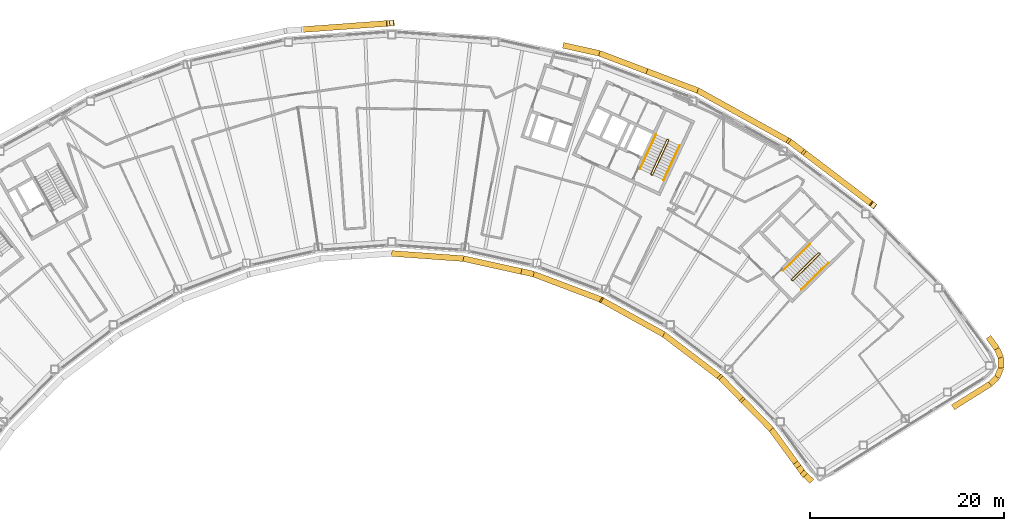
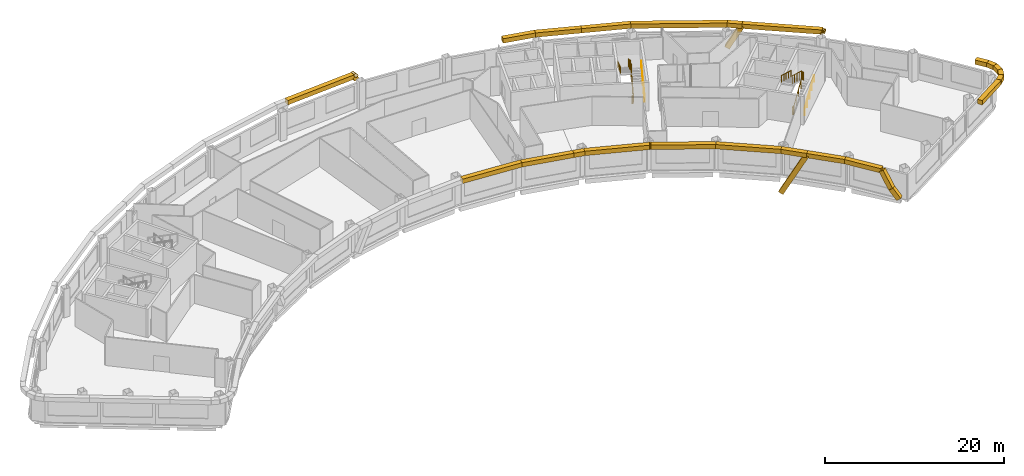
# One storey, part 13 of 13: 31 coverings, 6 railings.
"""IFC4 building model written with IfcOpenShell, lengths in metres."""

from ifc_helpers import new_model, si_unit, direction, frame, origin, origin_2d, place, context, subcontext, project, spatial, rectangle, circle, extrude, material, material_profile, profile_set, type_object, element, save


model = new_model("IFC4")

# Units and contexts
model_context = context("Model", 3, precision=1e-05, world=origin(), true_north=direction((0.0, 1.0)))
body_context = subcontext(model_context, "Body", "Model", "MODEL_VIEW")
ifc_project = project(units=[si_unit("LENGTHUNIT", "METRE"), si_unit("AREAUNIT", "SQUARE_METRE"), si_unit("VOLUMEUNIT", "CUBIC_METRE"), si_unit("PLANEANGLEUNIT", "RADIAN"), si_unit("MASSUNIT", "GRAM", prefix="KILO")], contexts=[model_context])

# Site, building, storey
site_placement = place(None, origin())
site = spatial("IfcSite", under=ifc_project, at=site_placement, CompositionType="ELEMENT")
building_placement = place(site_placement, origin())
building = spatial("IfcBuilding", under=site, at=building_placement, Name="Tuul Gate Civic Tower", CompositionType="ELEMENT")
storey_placement = place(building_placement, frame((0.0, 0.0, 306.800048828125)))
storey = spatial("IfcBuildingStorey", under=building, at=storey_placement, Name="Level 69", CompositionType="ELEMENT", Elevation=306.800048828125)

# Railings
ifc_material_1 = material(Name="Painted steel", Category="steel")
railing_type_1 = type_object("IfcRailingType", Name="Stair guard", PredefinedType="GUARDRAIL", material=ifc_material_1)
railing_1_placement = place(storey_placement, frame((48.10546875, -16.134765625, 0.0)))
element("IfcRailing", 1, at=railing_1_placement, inside=storey, type_object=railing_type_1, Name="Level 69 ST-3 stair guard 1", PredefinedType="GUARDRAIL", context=body_context, shape_type="SweptSolid", body=[
    extrude(circle(Radius=0.02392578125, at=origin_2d()), frame((0.0, 0.0, 1.076171875), z_axis=(-0.698506948293, 0.715603272202, 0.0), x_axis=(-0.715603272202, -0.698506948293, 0.0)), (0.0, 0.0, 1.0), 0.099853515625),
    extrude(circle(Radius=0.02392578125, at=origin_2d()), frame((-0.06982421875, 0.071533203125, 1.076171875), z_axis=(0.645446321009, -0.331687692741, 0.688027849131), x_axis=(0.457068866502, 0.889431307788, 0.0)), (0.0, 0.0, 1.0), 0.2177734375),
    extrude(circle(Radius=0.02392578125, at=origin_2d()), frame((0.07080078125, -0.000732421875, 1.22607421875), z_axis=(0.638731261263, 0.626133563701, 0.447190268558), x_axis=(-0.700029477518, 0.714113947914, 0.0)), (0.0, 0.0, 1.0), 4.3603515625),
    extrude(circle(Radius=0.02392578125, at=origin_2d()), frame((2.85595703125, 2.7294921875, 3.17578125), z_axis=(0.010380063588, 0.999946125689, 0.0), x_axis=(-0.999946125689, 0.010380063588, 0.0)), (0.0, 0.0, 1.0), 0.070556640625),
    extrude(circle(Radius=0.02392578125, at=origin_2d()), frame((2.856689453125, 2.800048828125, 3.17578125), z_axis=(-0.699754442181, 0.714383454909, 0.0), x_axis=(-0.714383454909, -0.699754442181, 0.0)), (0.0, 0.0, 1.0), 0.10009765625),
    extrude(circle(Radius=0.02392578125, at=origin_2d()), frame((2.78662109375, 2.87158203125, 3.17578125), z_axis=(-0.426501027327, 0.004412079593, 0.904476316574), x_axis=(-0.010344274102, -0.999946496565, 0.0)), (0.0, 0.0, 1.0), 0.166015625),
    extrude(circle(Radius=0.02392578125, at=origin_2d()), frame((2.7158203125, 2.872314453125, 3.326171875), z_axis=(-0.638731261263, -0.626133563701, 0.447190268558), x_axis=(0.700029477518, -0.714113947914, 0.0)), (0.0, 0.0, 1.0), 4.3603515625),
    extrude(circle(Radius=0.02099609375, at=origin_2d()), origin(), (0.0, 0.0, 1.0), 1.052001953125),
    extrude(circle(Radius=0.02099609375, at=origin_2d()), frame((-0.06982421875, 0.071533203125, 0.0)), (0.0, 0.0, 1.0), 1.052001953125),
    extrude(circle(Radius=0.02099609375, at=origin_2d()), frame((0.07080078125, -0.000732421875, 0.14990234375)), (0.0, 0.0, 1.0), 1.052001953125),
    extrude(circle(Radius=0.02099609375, at=origin_2d()), frame((0.76708984375, 0.681884765625, 0.637451171875)), (0.0, 0.0, 1.0), 1.052001953125),
    extrude(circle(Radius=0.02099609375, at=origin_2d()), frame((1.46337890625, 1.3642578125, 1.125)), (0.0, 0.0, 1.0), 1.052001953125),
    extrude(circle(Radius=0.02099609375, at=origin_2d()), frame((2.15966796875, 2.046875, 1.6123046875)), (0.0, 0.0, 1.0), 1.052001953125),
    extrude(circle(Radius=0.02099609375, at=origin_2d()), frame((2.85595703125, 2.7294921875, 2.099853515625)), (0.0, 0.0, 1.0), 1.052001953125),
    extrude(circle(Radius=0.02099609375, at=origin_2d()), frame((2.856689453125, 2.800048828125, 2.099853515625)), (0.0, 0.0, 1.0), 1.052001953125),
    extrude(circle(Radius=0.02099609375, at=origin_2d()), frame((2.78662109375, 2.87158203125, 2.099853515625)), (0.0, 0.0, 1.0), 1.052001953125),
    extrude(circle(Radius=0.02099609375, at=origin_2d()), frame((2.7158203125, 2.872314453125, 2.25)), (0.0, 0.0, 1.0), 1.052001953125),
    extrude(circle(Radius=0.02099609375, at=origin_2d()), frame((2.01953125, 2.189697265625, 2.737548828125)), (0.0, 0.0, 1.0), 1.052001953125),
    extrude(circle(Radius=0.02099609375, at=origin_2d()), frame((1.3232421875, 1.50732421875, 3.22509765625)), (0.0, 0.0, 1.0), 1.052001953125),
    extrude(circle(Radius=0.02099609375, at=origin_2d()), frame((0.626953125, 0.82470703125, 3.71240234375)), (0.0, 0.0, 1.0), 1.052001953125),
    extrude(circle(Radius=0.02099609375, at=origin_2d()), frame((-0.0693359375, 0.14208984375, 4.199951171875)), (0.0, 0.0, 1.0), 1.052001953125),
])
railing_2_placement = place(storey_placement, frame((33.645751953125, -5.238525390625, 0.0)))
element("IfcRailing", 2, at=railing_2_placement, inside=storey, type_object=railing_type_1, Name="Level 69 ST-4 stair guard 1", PredefinedType="GUARDRAIL", context=body_context, shape_type="SweptSolid", body=[
    extrude(circle(Radius=0.02392578125, at=origin_2d()), frame((0.0, 0.0, 1.076171875), z_axis=(-0.906307919131, 0.422617978463, 0.0), x_axis=(-0.422617978463, -0.906307919131, 0.0)), (0.0, 0.0, 1.0), 0.099853515625),
    extrude(circle(Radius=0.02392578125, at=origin_2d()), frame((-0.090576171875, 0.042236328125, 1.076171875), z_axis=(0.720735628292, -0.082946246491, 0.688229666829), x_axis=(0.114330889033, 0.993442724979, 0.0)), (0.0, 0.0, 1.0), 0.2177734375),
    extrude(circle(Radius=0.02392578125, at=origin_2d()), frame((0.06640625, 0.024169921875, 1.22607421875), z_axis=(0.377946903738, 0.810654114417, 0.447209173356), x_axis=(-0.906336612539, 0.422556439746, 0.0)), (0.0, 0.0, 1.0), 4.3603515625),
    extrude(circle(Radius=0.02392578125, at=origin_2d()), frame((1.71435546875, 3.558837890625, 3.17578125), z_axis=(-0.342020437038, 0.939692513883, 0.0), x_axis=(-0.939692513883, -0.342020437038, 0.0)), (0.0, 0.0, 1.0), 0.070556640625),
    extrude(circle(Radius=0.02392578125, at=origin_2d()), frame((1.690185546875, 3.625244140625, 3.17578125), z_axis=(-0.906307919131, 0.422617978463, 0.0), x_axis=(-0.422617978463, -0.906307919131, 0.0)), (0.0, 0.0, 1.0), 0.099853515625),
    extrude(circle(Radius=0.02392578125, at=origin_2d()), frame((1.599609375, 3.66748046875, 3.17578125), z_axis=(-0.400168791901, -0.145649670582, 0.904793408159), x_axis=(0.342020437038, -0.939692513883, 0.0)), (0.0, 0.0, 1.0), 0.166015625),
    extrude(circle(Radius=0.02392578125, at=origin_2d()), frame((1.533203125, 3.643310546875, 3.326171875), z_axis=(-0.377946903738, -0.810654114417, 0.447209173356), x_axis=(0.906336612539, -0.422556439746, 0.0)), (0.0, 0.0, 1.0), 4.3603515625),
    extrude(circle(Radius=0.02099609375, at=origin_2d()), origin(), (0.0, 0.0, 1.0), 1.052001953125),
    extrude(circle(Radius=0.02099609375, at=origin_2d()), frame((-0.090576171875, 0.042236328125, 0.0)), (0.0, 0.0, 1.0), 1.052001953125),
    extrude(circle(Radius=0.02099609375, at=origin_2d()), frame((0.06640625, 0.024169921875, 0.14990234375)), (0.0, 0.0, 1.0), 1.052001953125),
    extrude(circle(Radius=0.02099609375, at=origin_2d()), frame((0.478515625, 0.90771484375, 0.637451171875)), (0.0, 0.0, 1.0), 1.052001953125),
    extrude(circle(Radius=0.02099609375, at=origin_2d()), frame((0.890380859375, 1.79150390625, 1.125)), (0.0, 0.0, 1.0), 1.052001953125),
    extrude(circle(Radius=0.02099609375, at=origin_2d()), frame((1.30224609375, 2.67529296875, 1.6123046875)), (0.0, 0.0, 1.0), 1.052001953125),
    extrude(circle(Radius=0.02099609375, at=origin_2d()), frame((1.71435546875, 3.558837890625, 2.099853515625)), (0.0, 0.0, 1.0), 1.052001953125),
    extrude(circle(Radius=0.02099609375, at=origin_2d()), frame((1.690185546875, 3.625244140625, 2.099853515625)), (0.0, 0.0, 1.0), 1.052001953125),
    extrude(circle(Radius=0.02099609375, at=origin_2d()), frame((1.599609375, 3.66748046875, 2.099853515625)), (0.0, 0.0, 1.0), 1.052001953125),
    extrude(circle(Radius=0.02099609375, at=origin_2d()), frame((1.533203125, 3.643310546875, 2.25)), (0.0, 0.0, 1.0), 1.052001953125),
    extrude(circle(Radius=0.02099609375, at=origin_2d()), frame((1.12109375, 2.759765625, 2.737548828125)), (0.0, 0.0, 1.0), 1.052001953125),
    extrude(circle(Radius=0.02099609375, at=origin_2d()), frame((0.709228515625, 1.8759765625, 3.22509765625)), (0.0, 0.0, 1.0), 1.052001953125),
    extrude(circle(Radius=0.02099609375, at=origin_2d()), frame((0.29736328125, 0.9921875, 3.71240234375)), (0.0, 0.0, 1.0), 1.052001953125),
    extrude(circle(Radius=0.02099609375, at=origin_2d()), frame((-0.11474609375, 0.108642578125, 4.199951171875)), (0.0, 0.0, 1.0), 1.052001953125),
])
ifc_material_2 = material(Name="Painted steel", Category="steel")
railing_type_2 = type_object("IfcRailingType", Name="Stair handrail", PredefinedType="HANDRAIL", material=ifc_material_2)
railing_3_placement = place(storey_placement, frame((49.05126953125, -17.028076171875, 0.14990234375)))
element("IfcRailing", 3, at=railing_3_placement, inside=storey, type_object=railing_type_2, Name="Level 69 ST-3 stair handrail 1", PredefinedType="HANDRAIL", context=body_context, shape_type="SweptSolid", body=[
    extrude(circle(Radius=0.02392578125, at=origin_2d()), frame((0.0, 0.0, 0.8759765625), z_axis=(0.638753653487, 0.626099522554, 0.447205945863), x_axis=(-0.699997553204, 0.714145241186, 0.0)), (0.0, 0.0, 1.0), 4.3603515625),
    extrude(circle(Radius=0.02099609375, at=origin_2d()), origin(), (0.0, 0.0, 1.0), 0.851806640625),
    extrude(circle(Radius=0.02099609375, at=origin_2d()), frame((0.6962890625, 0.6826171875, 0.487548828125)), (0.0, 0.0, 1.0), 0.851806640625),
    extrude(circle(Radius=0.02099609375, at=origin_2d()), frame((1.392578125, 1.364990234375, 0.97509765625)), (0.0, 0.0, 1.0), 0.851806640625),
    extrude(circle(Radius=0.02099609375, at=origin_2d()), frame((2.0888671875, 2.04736328125, 1.46240234375)), (0.0, 0.0, 1.0), 0.851806640625),
    extrude(circle(Radius=0.02099609375, at=origin_2d()), frame((2.78515625, 2.72998046875, 1.949951171875)), (0.0, 0.0, 1.0), 0.851806640625),
])
railing_4_placement = place(storey_placement, frame((49.9462890625, -12.369873046875, 2.25)))
element("IfcRailing", 4, at=railing_4_placement, inside=storey, type_object=railing_type_2, Name="Level 69 ST-3 stair handrail 2", PredefinedType="HANDRAIL", context=body_context, shape_type="SweptSolid", body=[
    extrude(circle(Radius=0.02392578125, at=origin_2d()), frame((0.0, 0.0, 0.8759765625), z_axis=(-0.638753653487, -0.626099522554, 0.447205945863), x_axis=(0.699997553204, -0.714145241186, 0.0)), (0.0, 0.0, 1.0), 4.3603515625),
    extrude(circle(Radius=0.02099609375, at=origin_2d()), origin(), (0.0, 0.0, 1.0), 0.851806640625),
    extrude(circle(Radius=0.02099609375, at=origin_2d()), frame((-0.6962890625, -0.6826171875, 0.487548828125)), (0.0, 0.0, 1.0), 0.851806640625),
    extrude(circle(Radius=0.02099609375, at=origin_2d()), frame((-1.392578125, -1.364990234375, 0.97509765625)), (0.0, 0.0, 1.0), 0.851806640625),
    extrude(circle(Radius=0.02099609375, at=origin_2d()), frame((-2.0888671875, -2.04736328125, 1.46240234375)), (0.0, 0.0, 1.0), 0.851806640625),
    extrude(circle(Radius=0.02099609375, at=origin_2d()), frame((-2.78515625, -2.72998046875, 1.949951171875)), (0.0, 0.0, 1.0), 0.851806640625),
])
railing_5_placement = place(storey_placement, frame((34.844970703125, -5.74267578125, 0.14990234375)))
element("IfcRailing", 5, at=railing_5_placement, inside=storey, type_object=railing_type_2, Name="Level 69 ST-4 stair handrail 1", PredefinedType="HANDRAIL", context=body_context, shape_type="SweptSolid", body=[
    extrude(circle(Radius=0.02392578125, at=origin_2d()), frame((0.0, 0.0, 0.8759765625), z_axis=(0.377994896215, 0.810636958585, 0.447199709091), x_axis=(-0.906312636903, 0.422607861012, 0.0)), (0.0, 0.0, 1.0), 4.3603515625),
    extrude(circle(Radius=0.02099609375, at=origin_2d()), origin(), (0.0, 0.0, 1.0), 0.851806640625),
    extrude(circle(Radius=0.02099609375, at=origin_2d()), frame((0.412109375, 0.8837890625, 0.487548828125)), (0.0, 0.0, 1.0), 0.851806640625),
    extrude(circle(Radius=0.02099609375, at=origin_2d()), frame((0.82421875, 1.767333984375, 0.97509765625)), (0.0, 0.0, 1.0), 0.851806640625),
    extrude(circle(Radius=0.02099609375, at=origin_2d()), frame((1.236083984375, 2.65087890625, 1.46240234375)), (0.0, 0.0, 1.0), 0.851806640625),
    extrude(circle(Radius=0.02099609375, at=origin_2d()), frame((1.648193359375, 3.53466796875, 1.949951171875)), (0.0, 0.0, 1.0), 0.851806640625),
])
railing_6_placement = place(storey_placement, frame((34.046142578125, -1.06689453125, 2.25)))
element("IfcRailing", 6, at=railing_6_placement, inside=storey, type_object=railing_type_2, Name="Level 69 ST-4 stair handrail 2", PredefinedType="HANDRAIL", context=body_context, shape_type="SweptSolid", body=[
    extrude(circle(Radius=0.02392578125, at=origin_2d()), frame((0.0, 0.0, 0.8759765625), z_axis=(-0.377994896215, -0.810636958585, 0.447199709091), x_axis=(0.906312636903, -0.422607861012, 0.0)), (0.0, 0.0, 1.0), 4.3603515625),
    extrude(circle(Radius=0.02099609375, at=origin_2d()), origin(), (0.0, 0.0, 1.0), 0.851806640625),
    extrude(circle(Radius=0.02099609375, at=origin_2d()), frame((-0.412109375, -0.8837890625, 0.487548828125)), (0.0, 0.0, 1.0), 0.851806640625),
    extrude(circle(Radius=0.02099609375, at=origin_2d()), frame((-0.82421875, -1.767333984375, 0.97509765625)), (0.0, 0.0, 1.0), 0.851806640625),
    extrude(circle(Radius=0.02099609375, at=origin_2d()), frame((-1.236083984375, -2.65087890625, 1.46240234375)), (0.0, 0.0, 1.0), 0.851806640625),
    extrude(circle(Radius=0.02099609375, at=origin_2d()), frame((-1.648193359375, -3.53466796875, 1.949951171875)), (0.0, 0.0, 1.0), 0.851806640625),
])

# Coverings
ifc_material_3 = material(Name="Terracotta baguette", Category="masonry")
ifc_material_profile = material_profile(ifc_material_3, rectangle(XDim=0.60009765625, YDim=0.60009765625, at=origin_2d()), Name="Terracotta baguette screen frame")
ifc_profile_set = profile_set([ifc_material_profile], Name="Terracotta baguette")
covering_type = type_object("IfcCoveringType", Name="Terracotta baguette screen frame", PredefinedType="CLADDING", material=ifc_profile_set)
covering_1_placement = place(storey_placement, frame((64.689208984375, -29.19384765625, 3.849853515625), z_axis=(0.848058898511, 0.529901976461, 0.0), x_axis=(-0.529901976461, 0.848058898511, 0.0)))
element("IfcCovering", 7, at=covering_1_placement, inside=storey, type_object=covering_type, Name="Baguette 11", PredefinedType="CLADDING", context=body_context, shape_type="SweptSolid", body=[
    extrude(rectangle(XDim=0.60009765625, YDim=0.60009765625, at=origin_2d()), origin(), (0.0, 0.0, 1.0), 4.526611328125),
])
covering_2_placement = place(storey_placement, frame((68.528076171875, -26.795166015625, 3.849853515625), z_axis=(0.722137314744, 0.691749737011, 0.0), x_axis=(-0.691749737011, 0.722137314744, 0.0)))
element("IfcCovering", 8, at=covering_2_placement, inside=storey, type_object=covering_type, Name="Baguette 12", PredefinedType="CLADDING", context=body_context, shape_type="SweptSolid", body=[
    extrude(rectangle(XDim=0.60009765625, YDim=0.60009765625, at=origin_2d()), origin(), (0.0, 0.0, 1.0), 0.98828125),
])
covering_3_placement = place(storey_placement, frame((69.24169921875, -26.111572265625, 3.849853515625), z_axis=(0.385784883999, 0.922588761734, 0.0), x_axis=(-0.922588761734, 0.385784883999, 0.0)))
element("IfcCovering", 9, at=covering_3_placement, inside=storey, type_object=covering_type, Name="Baguette 13", PredefinedType="CLADDING", context=body_context, shape_type="SweptSolid", body=[
    extrude(rectangle(XDim=0.60009765625, YDim=0.60009765625, at=origin_2d()), origin(), (0.0, 0.0, 1.0), 1.06689453125),
])
covering_4_placement = place(storey_placement, frame((69.6533203125, -25.127197265625, 3.849853515625), z_axis=(-0.014637041139, 0.999892872775, 0.0), x_axis=(-0.999892872775, -0.014637041139, 0.0)))
element("IfcCovering", 10, at=covering_4_placement, inside=storey, type_object=covering_type, Name="Baguette 14", PredefinedType="CLADDING", context=body_context, shape_type="SweptSolid", body=[
    extrude(rectangle(XDim=0.60009765625, YDim=0.60009765625, at=origin_2d()), origin(), (0.0, 0.0, 1.0), 1.0673828125),
])
covering_5_placement = place(storey_placement, frame((69.6376953125, -24.059814453125, 3.849853515625), z_axis=(-0.412573349968, 0.910924382644, 0.0), x_axis=(-0.910924382644, -0.412573349968, 0.0)))
element("IfcCovering", 11, at=covering_5_placement, inside=storey, type_object=covering_type, Name="Baguette 15", PredefinedType="CLADDING", context=body_context, shape_type="SweptSolid", body=[
    extrude(rectangle(XDim=0.60009765625, YDim=0.60009765625, at=origin_2d()), origin(), (0.0, 0.0, 1.0), 0.987548828125),
])
covering_6_placement = place(storey_placement, frame((69.230224609375, -23.16015625, 3.849853515625), z_axis=(-0.589840519689, 0.807519759098, 0.0), x_axis=(-0.807519759098, -0.589840519689, 0.0)))
element("IfcCovering", 12, at=covering_6_placement, inside=storey, type_object=covering_type, Name="Baguette 16", PredefinedType="CLADDING", context=body_context, shape_type="SweptSolid", body=[
    extrude(rectangle(XDim=0.60009765625, YDim=0.60009765625, at=origin_2d()), origin(), (0.0, 0.0, 1.0), 1.4951171875),
])
covering_7_placement = place(storey_placement, frame((56.481689453125, -8.357177734375, 3.93359375), z_axis=(-0.584358945917, 0.44371662334, -0.67944107949), x_axis=(-0.604740952952, -0.796422237147, 0.0)))
element("IfcCovering", 13, at=covering_7_placement, inside=storey, type_object=covering_type, Name="Baguette 30", PredefinedType="CLADDING", context=body_context, shape_type="SweptSolid", body=[
    extrude(rectangle(XDim=0.60009765625, YDim=0.60009765625, at=origin_2d()), origin(), (0.0, 0.0, 1.0), 0.123291015625),
])
covering_8_placement = place(storey_placement, frame((56.40966796875, -8.302490234375, 3.849853515625), z_axis=(0.37839269178, -0.287321908334, -0.879923344274), x_axis=(0.604740952952, 0.796422237147, 0.0)))
element("IfcCovering", 14, at=covering_8_placement, inside=storey, type_object=covering_type, Name="Baguette 34", PredefinedType="CLADDING", context=body_context, shape_type="SweptSolid", body=[
    extrude(rectangle(XDim=0.60009765625, YDim=0.60009765625, at=origin_2d()), origin(), (0.0, 0.0, 1.0), 0.1904296875),
])
covering_9_placement = place(storey_placement, frame((56.40966796875, -8.302490234375, 3.849853515625), z_axis=(-0.795606502221, 0.605813744994, 0.0), x_axis=(-0.605813744994, -0.795606502221, 0.0)))
element("IfcCovering", 15, at=covering_9_placement, inside=storey, type_object=covering_type, Name="Baguette 36", PredefinedType="CLADDING", context=body_context, shape_type="SweptSolid", body=[
    extrude(rectangle(XDim=0.60009765625, YDim=0.60009765625, at=origin_2d()), origin(), (0.0, 0.0, 1.0), 9.07275390625),
])
covering_10_placement = place(storey_placement, frame((49.19140625, -2.80615234375, 3.849853515625), z_axis=(-0.37804535846, 0.287828427225, -0.879907099317), x_axis=(-0.605768691074, -0.795640806467, 0.0)))
element("IfcCovering", 16, at=covering_10_placement, inside=storey, type_object=covering_type, Name="Baguette 41", PredefinedType="CLADDING", context=body_context, shape_type="SweptSolid", body=[
    extrude(rectangle(XDim=0.60009765625, YDim=0.60009765625, at=origin_2d()), origin(), (0.0, 0.0, 1.0), 3.55322265625),
])
covering_11_placement = place(storey_placement, frame((33.114501953125, 5.460205078125, 3.849853515625), z_axis=(-0.935363669244, 0.353687441477, 0.0), x_axis=(-0.353687441477, -0.935363669244, 0.0)))
element("IfcCovering", 17, at=covering_11_placement, inside=storey, type_object=covering_type, Name="Baguette 57", PredefinedType="CLADDING", context=body_context, shape_type="SweptSolid", body=[
    extrude(rectangle(XDim=0.60009765625, YDim=0.60009765625, at=origin_2d()), origin(), (0.0, 0.0, 1.0), 5.24609375),
])
covering_12_placement = place(storey_placement, frame((28.20751953125, 7.315673828125, 3.849853515625), z_axis=(-0.976551990289, 0.215281699787, 0.0), x_axis=(-0.215281699787, -0.976551990289, 0.0)))
element("IfcCovering", 18, at=covering_12_placement, inside=storey, type_object=covering_type, Name="Baguette 58", PredefinedType="CLADDING", context=body_context, shape_type="SweptSolid", body=[
    extrude(rectangle(XDim=0.60009765625, YDim=0.60009765625, at=origin_2d()), origin(), (0.0, 0.0, 1.0), 3.826171875),
])
covering_13_placement = place(storey_placement, frame((6.7880859375, 10.43505859375, 4.09912109375), z_axis=(-0.731587639047, -0.053254787192, -0.679664221535), x_axis=(0.072601349588, -0.997361039964, 0.0)))
element("IfcCovering", 19, at=covering_13_placement, inside=storey, type_object=covering_type, Name="Baguette 72", PredefinedType="CLADDING", context=body_context, shape_type="SweptSolid", body=[
    extrude(rectangle(XDim=0.60009765625, YDim=0.60009765625, at=origin_2d()), origin(), (0.0, 0.0, 1.0), 0.36669921875),
])
covering_14_placement = place(storey_placement, frame((6.519775390625, 10.41552734375, 3.849853515625), z_axis=(0.473997553989, 0.034503916578, -0.879849872736), x_axis=(-0.072601349588, 0.997361039964, 0.0)))
element("IfcCovering", 20, at=covering_14_placement, inside=storey, type_object=covering_type, Name="Baguette 76", PredefinedType="CLADDING", context=body_context, shape_type="SweptSolid", body=[
    extrude(rectangle(XDim=0.60009765625, YDim=0.60009765625, at=origin_2d()), origin(), (0.0, 0.0, 1.0), 0.566162109375),
])
covering_15_placement = place(storey_placement, frame((6.519775390625, 10.41552734375, 3.849853515625), z_axis=(-0.997386341974, -0.072252922734, 0.0), x_axis=(0.072252922734, -0.997386341974, 0.0)))
element("IfcCovering", 21, at=covering_15_placement, inside=storey, type_object=covering_type, Name="Baguette 78", PredefinedType="CLADDING", context=body_context, shape_type="SweptSolid", body=[
    extrude(rectangle(XDim=0.60009765625, YDim=0.60009765625, at=origin_2d()), origin(), (0.0, 0.0, 1.0), 9.072509765625),
])
covering_16_placement = place(storey_placement, frame((20.165771484375, -15.180908203125, 3.849853515625), z_axis=(0.97654942651, -0.215293329165, 0.0), x_axis=(0.215293329165, 0.97654942651, 0.0)))
element("IfcCovering", 22, at=covering_16_placement, inside=storey, type_object=covering_type, Name="Baguette 233", PredefinedType="CLADDING", context=body_context, shape_type="SweptSolid", body=[
    extrude(rectangle(XDim=0.60009765625, YDim=0.60009765625, at=origin_2d()), origin(), (0.0, 0.0, 1.0), 1.294921875),
])
covering_17_placement = place(storey_placement, frame((21.430419921875, -15.459716796875, 3.849853515625), z_axis=(0.935368082117, -0.353675770951, 0.0), x_axis=(0.353675770951, 0.935368082117, 0.0)))
element("IfcCovering", 23, at=covering_17_placement, inside=storey, type_object=covering_type, Name="Baguette 234", PredefinedType="CLADDING", context=body_context, shape_type="SweptSolid", body=[
    extrude(rectangle(XDim=0.60009765625, YDim=0.60009765625, at=origin_2d()), origin(), (0.0, 0.0, 1.0), 7.41796875),
])
covering_18_placement = place(storey_placement, frame((28.368896484375, -18.083251953125, 3.849853515625), z_axis=(0.874653893633, -0.48474794105, 0.0), x_axis=(0.48474794105, 0.874653893633, 0.0)))
element("IfcCovering", 24, at=covering_18_placement, inside=storey, type_object=covering_type, Name="Baguette 235", PredefinedType="CLADDING", context=body_context, shape_type="SweptSolid", body=[
    extrude(rectangle(XDim=0.60009765625, YDim=0.60009765625, at=origin_2d()), origin(), (0.0, 0.0, 1.0), 0.138916015625),
])
covering_19_placement = place(storey_placement, frame((42.86328125, -28.321044921875, 3.849853515625), z_axis=(-0.326328454044, 0.332876218199, -0.88470512796), x_axis=(-0.714095122772, -0.700048680903, 0.0)))
element("IfcCovering", 25, at=covering_19_placement, inside=storey, type_object=covering_type, Name="Baguette 254", PredefinedType="CLADDING", context=body_context, shape_type="SweptSolid", body=[
    extrude(rectangle(XDim=0.60009765625, YDim=0.60009765625, at=origin_2d()), origin(), (0.0, 0.0, 1.0), 6.450439453125),
])
covering_20_placement = place(storey_placement, frame((42.86328125, -28.321044921875, 3.849853515625), z_axis=(0.700043190596, -0.714100505041, 0.0), x_axis=(0.714100505041, 0.700043190596, 0.0)))
element("IfcCovering", 26, at=covering_20_placement, inside=storey, type_object=covering_type, Name="Baguette 256", PredefinedType="CLADDING", context=body_context, shape_type="SweptSolid", body=[
    extrude(rectangle(XDim=0.60009765625, YDim=0.60009765625, at=origin_2d()), origin(), (0.0, 0.0, 1.0), 4.411376953125),
])
covering_21_placement = place(storey_placement, frame((45.951416015625, -31.47119140625, 3.849853515625), z_axis=(0.589863497753, -0.807502974619, 0.0), x_axis=(0.807502974619, 0.589863497753, 0.0)))
element("IfcCovering", 27, at=covering_21_placement, inside=storey, type_object=covering_type, Name="Baguette 257", PredefinedType="CLADDING", context=body_context, shape_type="SweptSolid", body=[
    extrude(rectangle(XDim=0.60009765625, YDim=0.60009765625, at=origin_2d()), origin(), (0.0, 0.0, 1.0), 4.5185546875),
])
covering_22_placement = place(storey_placement, frame((48.61669921875, -35.119873046875, 3.849853515625), z_axis=(0.278637538784, -0.381588356526, -0.881335037397), x_axis=(0.807608329119, 0.589719243995, 0.0)))
element("IfcCovering", 28, at=covering_22_placement, inside=storey, type_object=covering_type, Name="Baguette 270", PredefinedType="CLADDING", context=body_context, shape_type="SweptSolid", body=[
    extrude(rectangle(XDim=0.60009765625, YDim=0.60009765625, at=origin_2d()), origin(), (0.0, 0.0, 1.0), 2.440185546875),
])
covering_23_placement = place(storey_placement, frame((49.296630859375, -36.051025390625, 1.69921875), z_axis=(0.418296815722, -0.392357132014, -0.81919695734), x_axis=(0.684130296537, 0.729359813371, 0.0)))
element("IfcCovering", 29, at=covering_23_placement, inside=storey, type_object=covering_type, Name="Baguette 271", PredefinedType="CLADDING", context=body_context, shape_type="SweptSolid", body=[
    extrude(rectangle(XDim=0.60009765625, YDim=0.60009765625, at=origin_2d()), origin(), (0.0, 0.0, 1.0), 1.57177734375),
])
covering_24_placement = place(storey_placement, frame((49.19140625, -2.80615234375, 3.849853515625), z_axis=(-0.795640806467, 0.605768691074, 0.0), x_axis=(-0.605768691074, -0.795640806467, 0.0)))
element("IfcCovering", 30, at=covering_24_placement, inside=storey, type_object=covering_type, Name="Baguette 300", PredefinedType="CLADDING", context=body_context, shape_type="SweptSolid", body=[
    extrude(rectangle(XDim=0.60009765625, YDim=0.60009765625, at=origin_2d()), origin(), (0.0, 0.0, 1.0), 1.688232421875),
])
covering_25_placement = place(storey_placement, frame((47.84814453125, -1.783447265625, 3.849853515625), z_axis=(-0.87460584557, 0.484834626337, 0.0), x_axis=(-0.484834626337, -0.87460584557, 0.0)))
element("IfcCovering", 31, at=covering_25_placement, inside=storey, type_object=covering_type, Name="Baguette 301", PredefinedType="CLADDING", context=body_context, shape_type="SweptSolid", body=[
    extrude(rectangle(XDim=0.60009765625, YDim=0.60009765625, at=origin_2d()), origin(), (0.0, 0.0, 1.0), 10.8505859375),
])
covering_26_placement = place(storey_placement, frame((38.358154296875, 3.477294921875, 3.849853515625), z_axis=(-0.935355584732, 0.353708821082, 0.0), x_axis=(-0.353708821082, -0.935355584732, 0.0)))
element("IfcCovering", 32, at=covering_26_placement, inside=storey, type_object=covering_type, Name="Baguette 302", PredefinedType="CLADDING", context=body_context, shape_type="SweptSolid", body=[
    extrude(rectangle(XDim=0.60009765625, YDim=0.60009765625, at=origin_2d()), origin(), (0.0, 0.0, 1.0), 5.60595703125),
])
covering_27_placement = place(storey_placement, frame((6.7880859375, -13.326904296875, 3.849853515625), z_axis=(0.997384658444, -0.072276158591, 0.0), x_axis=(0.072276158591, 0.997384658444, 0.0)))
element("IfcCovering", 33, at=covering_27_placement, inside=storey, type_object=covering_type, Name="Baguette 356", PredefinedType="CLADDING", context=body_context, shape_type="SweptSolid", body=[
    extrude(rectangle(XDim=0.60009765625, YDim=0.60009765625, at=origin_2d()), origin(), (0.0, 0.0, 1.0), 7.417724609375),
])
covering_28_placement = place(storey_placement, frame((14.1865234375, -13.863037109375, 3.849853515625), z_axis=(0.976560886687, -0.215241340343, 0.0), x_axis=(0.215241340343, 0.976560886687, 0.0)))
element("IfcCovering", 34, at=covering_28_placement, inside=storey, type_object=covering_type, Name="Baguette 357", PredefinedType="CLADDING", context=body_context, shape_type="SweptSolid", body=[
    extrude(rectangle(XDim=0.60009765625, YDim=0.60009765625, at=origin_2d()), origin(), (0.0, 0.0, 1.0), 6.122802734375),
])
covering_29_placement = place(storey_placement, frame((28.490478515625, -18.150634765625, 3.849853515625), z_axis=(0.874615684297, -0.484816877575, 0.0), x_axis=(0.484816877575, 0.874615684297, 0.0)))
element("IfcCovering", 35, at=covering_29_placement, inside=storey, type_object=covering_type, Name="Baguette 361", PredefinedType="CLADDING", context=body_context, shape_type="SweptSolid", body=[
    extrude(rectangle(XDim=0.60009765625, YDim=0.60009765625, at=origin_2d()), origin(), (0.0, 0.0, 1.0), 7.279052734375),
])
covering_30_placement = place(storey_placement, frame((34.85693359375, -21.6796875, 3.849853515625), z_axis=(0.795570717168, -0.605860738111, 0.0), x_axis=(0.605860738111, 0.795570717168, 0.0)))
element("IfcCovering", 36, at=covering_30_placement, inside=storey, type_object=covering_type, Name="Baguette 362", PredefinedType="CLADDING", context=body_context, shape_type="SweptSolid", body=[
    extrude(rectangle(XDim=0.60009765625, YDim=0.60009765625, at=origin_2d()), origin(), (0.0, 0.0, 1.0), 7.417724609375),
])
covering_31_placement = place(storey_placement, frame((40.75830078125, -26.173828125, 3.849853515625), z_axis=(0.700048680903, -0.714095122772, 0.0), x_axis=(0.714095122772, 0.700048680903, 0.0)))
element("IfcCovering", 37, at=covering_31_placement, inside=storey, type_object=covering_type, Name="Baguette 363", PredefinedType="CLADDING", context=body_context, shape_type="SweptSolid", body=[
    extrude(rectangle(XDim=0.60009765625, YDim=0.60009765625, at=origin_2d()), origin(), (0.0, 0.0, 1.0), 3.0068359375),
])

save(model, "model.ifc")
